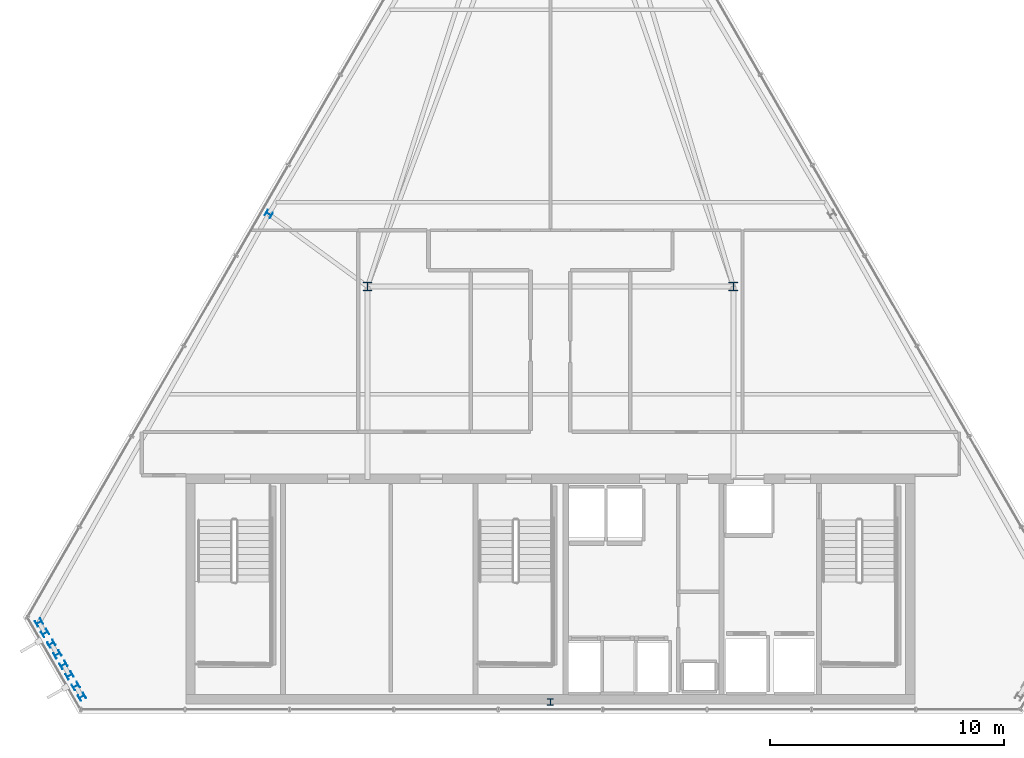
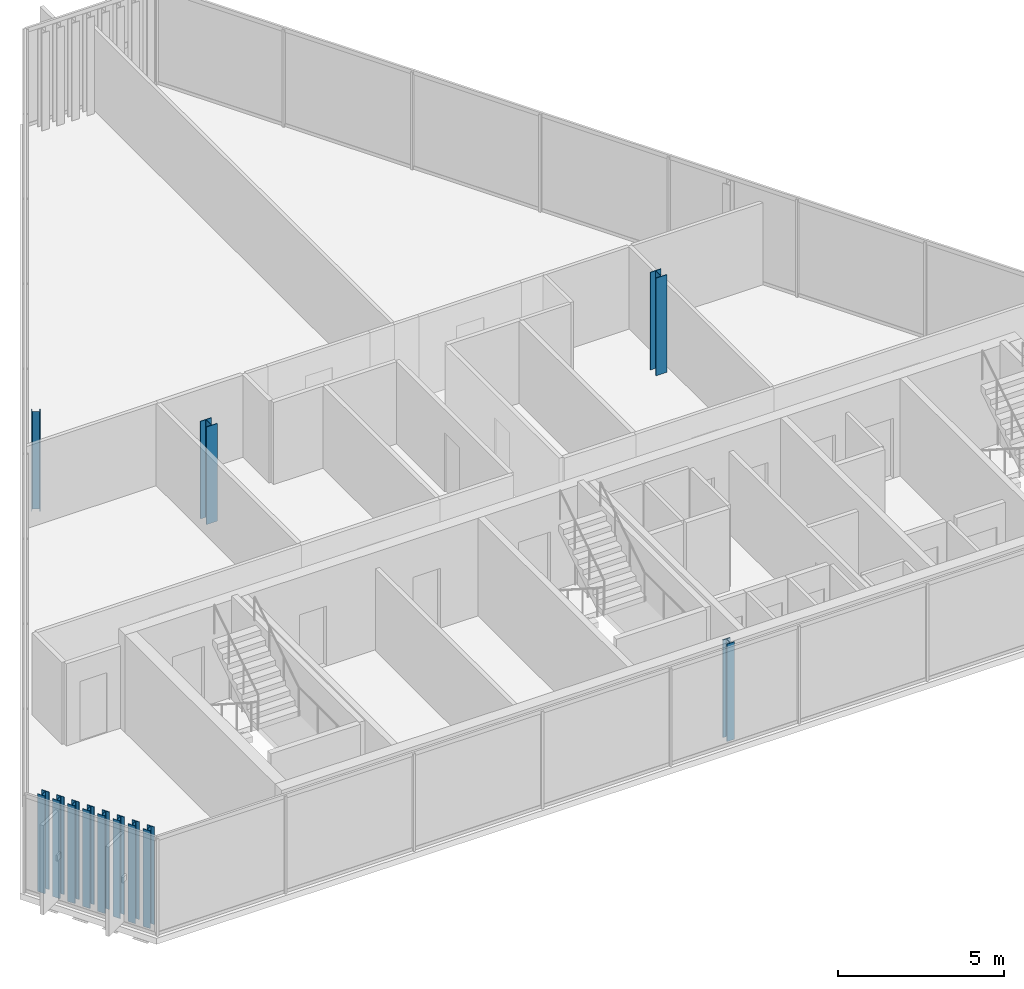
# One storey, part 1 of 32: 12 columns.
"""IFC4 building model written with IfcOpenShell, lengths in metres."""

from ifc_helpers import new_model, si_unit, direction, frame, origin, origin_2d, place, context, subcontext, project, spatial, i_section, extrude, material, material_profile, profile_set, type_object, element, save


model = new_model("IFC4")

# Units and contexts
model_context = context("Model", 3, precision=1e-05, world=origin(), true_north=direction((0.0, 1.0)))
body_context = subcontext(model_context, "Body", "Model", "MODEL_VIEW")
ifc_project = project(units=[si_unit("LENGTHUNIT", "METRE"), si_unit("AREAUNIT", "SQUARE_METRE"), si_unit("VOLUMEUNIT", "CUBIC_METRE"), si_unit("PLANEANGLEUNIT", "RADIAN"), si_unit("MASSUNIT", "GRAM", prefix="KILO")], contexts=[model_context])

# Site, building, storey
site_placement = place(None, origin())
site = spatial("IfcSite", under=ifc_project, at=site_placement, CompositionType="ELEMENT")
building_placement = place(site_placement, origin())
building = spatial("IfcBuilding", under=site, at=building_placement, Name="Ndaravel Arena Tower", CompositionType="ELEMENT")
storey_placement = place(building_placement, frame((0.0, 0.0, 287.10009765625)))
storey = spatial("IfcBuildingStorey", under=building, at=storey_placement, Name="L70", CompositionType="ELEMENT", Elevation=287.10009765625)

# Columns
ifc_material_1 = material(Name="Steel S355", Category="steel")
ifc_material_profile_1 = material_profile(ifc_material_1, i_section(OverallWidth=0.2587890625, OverallDepth=0.2666015625, WebThickness=0.0126953125, FlangeThickness=0.0205078125, FilletRadius=0.0126953125, at=origin_2d()), Name="UC 254x254x107")
ifc_profile_set_1 = profile_set([ifc_material_profile_1], Name="Steel S355")
column_type_1 = type_object("IfcColumnType", Name="COL-CRN-UC107", PredefinedType="COLUMN", material=ifc_profile_set_1)
for number, where, z_axis, x_axis, name in (
    (1, (42.0, 5.47998046875, 0.0), (0.0, 0.0, 1.0), (1.0, 0.0, 0.0), "L70 Framed Tube Column TC-01"),
    (2, (29.9873046875, 26.286865234375, 0.0), (0.0, 0.0, 1.0), (0.5, 0.866025403784, 0.0), "L70 Framed Tube Column TC-19"),
    (3, (20.192626953125, 8.869873046875, 0.0), (0.0, 0.0, 1.0), (-0.5, 0.866025403784, 0.0), "L70 Framed Tube Column TC-20"),
    (4, (20.45361328125, 8.41796875, 0.0), (0.0, 0.0, 1.0), (-0.5, 0.866025403784, 0.0), "L70 Framed Tube Column TC-21"),
    (5, (20.71435546875, 7.9658203125, 0.0), (0.0, 0.0, 1.0), (-0.5, 0.866025403784, 0.0), "L70 Framed Tube Column TC-22"),
    (6, (20.975341796875, 7.513916015625, 0.0), (0.0, 0.0, 1.0), (-0.5, 0.866025403784, 0.0), "L70 Framed Tube Column TC-23"),
    (7, (21.236328125, 7.06201171875, 0.0), (0.0, 0.0, 1.0), (-0.5, 0.866025403784, 0.0), "L70 Framed Tube Column TC-24"),
    (8, (21.497314453125, 6.610107421875, 0.0), (0.0, 0.0, 1.0), (-0.5, 0.866025403784, 0.0), "L70 Framed Tube Column TC-25"),
    (9, (21.75830078125, 6.157958984375, 0.0), (0.0, 0.0, 1.0), (-0.5, 0.866025403784, 0.0), "L70 Framed Tube Column TC-26"),
    (10, (22.01904296875, 5.7060546875, 0.0), (0.0, 0.0, 1.0), (-0.5, 0.866025403784, 0.0), "L70 Framed Tube Column TC-27"),
):
    element("IfcColumn", number, at=place(storey_placement, frame(where, z_axis=z_axis, x_axis=x_axis)), inside=storey, type_object=column_type_1, Name=name, PredefinedType="COLUMN", context=body_context, shape_type="SweptSolid", body=[
        extrude(i_section(OverallWidth=0.2587890625, OverallDepth=0.2666015625, WebThickness=0.0126953125, FlangeThickness=0.0205078125, FilletRadius=0.0126953125, at=origin_2d()), origin(), (0.0, 0.0, 1.0), 3.579833984375),
    ])
ifc_material_2 = material(Name="Steel S355", Category="steel")
ifc_material_profile_2 = material_profile(ifc_material_2, i_section(OverallWidth=0.374755859375, OverallDepth=0.37451171875, WebThickness=0.0166015625, FlangeThickness=0.027099609375, FilletRadius=0.01513671875, at=origin_2d()), Name="UC 356x368x202")
ifc_profile_set_2 = profile_set([ifc_material_profile_2], Name="Steel S355")
column_type_2 = type_object("IfcColumnType", Name="COL-CRN-UC202", PredefinedType="COLUMN", material=ifc_profile_set_2)
for number, where, z_axis, x_axis, name in (
    (11, (34.199951171875, 23.199951171875, 0.0), (0.0, 0.0, 1.0), (1.0, 0.0, 0.0), "L70 Interior Spine Column IC-01"),
    (12, (49.800048828125, 23.199951171875, 0.0), (0.0, 0.0, 1.0), (1.0, 0.0, 0.0), "L70 Interior Spine Column IC-02"),
):
    element("IfcColumn", number, at=place(storey_placement, frame(where, z_axis=z_axis, x_axis=x_axis)), inside=storey, type_object=column_type_2, Name=name, PredefinedType="COLUMN", context=body_context, shape_type="SweptSolid", body=[
        extrude(i_section(OverallWidth=0.374755859375, OverallDepth=0.37451171875, WebThickness=0.0166015625, FlangeThickness=0.027099609375, FilletRadius=0.01513671875, at=origin_2d()), origin(), (0.0, 0.0, 1.0), 3.579833984375),
    ])

save(model, "model.ifc")
